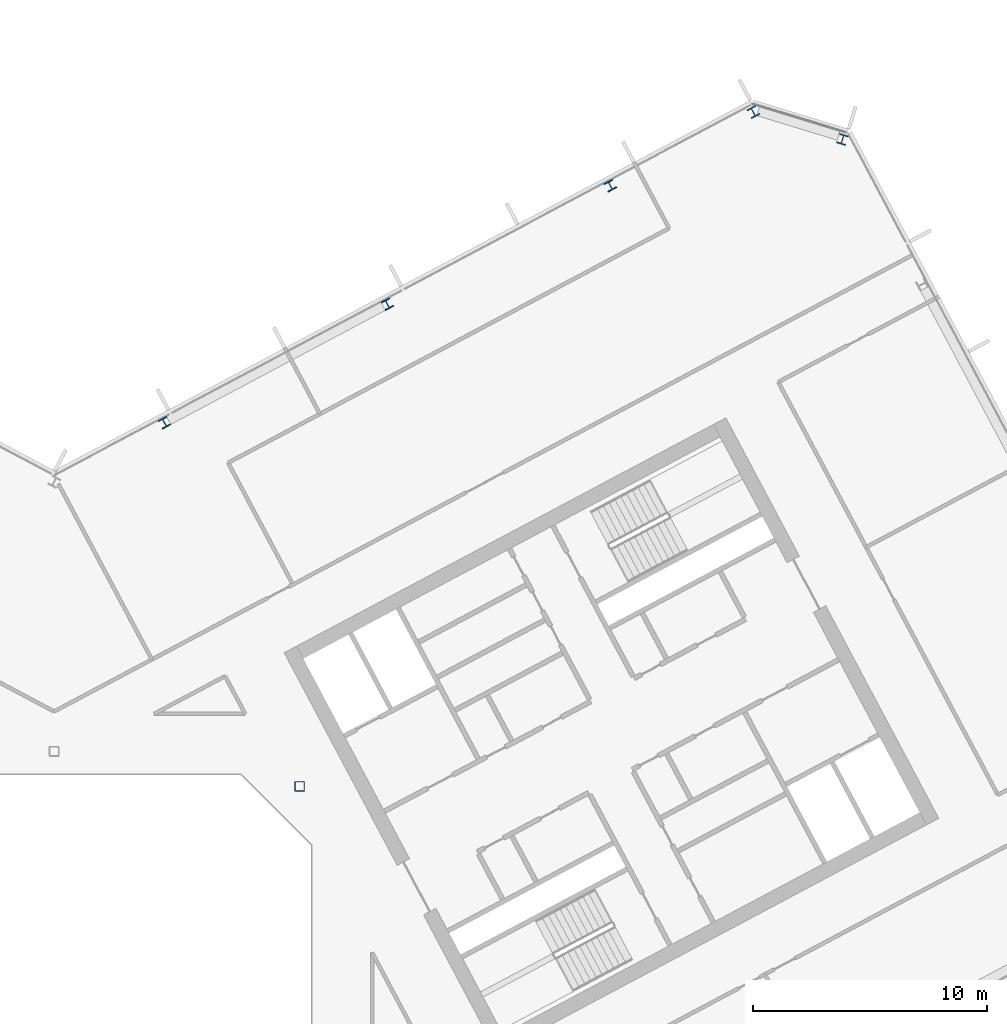
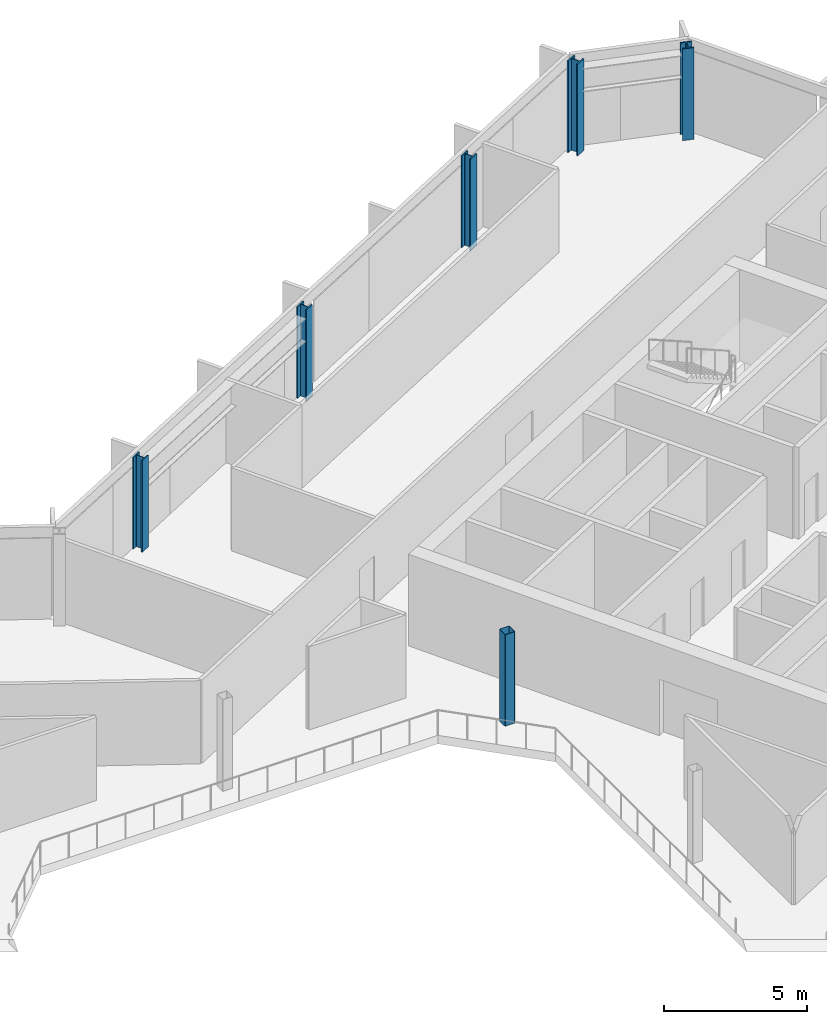
# One storey, part 6 of 26: 6 columns.
"""IFC4 building model written with IfcOpenShell, lengths in metres."""

from ifc_helpers import new_model, si_unit, direction, frame, origin, origin_2d, place, context, subcontext, project, spatial, hollow_rectangle, i_section, extrude, material, material_profile, profile_set, type_object, element, save


model = new_model("IFC4")

# Units and contexts
model_context = context("Model", 3, precision=1e-05, world=origin(), true_north=direction((0.0, 1.0)))
body_context = subcontext(model_context, "Body", "Model", "MODEL_VIEW")
ifc_project = project(units=[si_unit("LENGTHUNIT", "METRE"), si_unit("AREAUNIT", "SQUARE_METRE"), si_unit("VOLUMEUNIT", "CUBIC_METRE"), si_unit("PLANEANGLEUNIT", "RADIAN"), si_unit("MASSUNIT", "GRAM", prefix="KILO")], contexts=[model_context])

# Site, building, storey
site_placement = place(None, origin())
site = spatial("IfcSite", under=ifc_project, at=site_placement, CompositionType="ELEMENT")
building_placement = place(site_placement, origin())
building = spatial("IfcBuilding", under=site, at=building_placement, Name="Cormorant Relay Tower", CompositionType="ELEMENT")
storey_placement = place(building_placement, frame((0.0, 0.0, 220.800048828125)))
storey = spatial("IfcBuildingStorey", under=building, at=storey_placement, Name="L48", CompositionType="ELEMENT", Elevation=220.800048828125)

# Columns
ifc_material_1 = material(Name="Steel ASTM A500 Grade C (Fy 345 MPa)", Category="steel")
ifc_material_profile_1 = material_profile(ifc_material_1, hollow_rectangle(XDim=0.406494140625, YDim=0.406494140625, WallThickness=0.0146484375, InnerFilletRadius=0.00732421875, OuterFilletRadius=0.022216796875, at=origin_2d()), Name="HSS406x406x15")
ifc_profile_set_1 = profile_set([ifc_material_profile_1], Name="Steel ASTM A500 Grade C (Fy 345 MPa)")
column_type_1 = type_object("IfcColumnType", Name="Column HSS406x406x15", PredefinedType="COLUMN", material=ifc_profile_set_1)
column_placement = place(storey_placement, frame((10.5, 10.5, 0.0), z_axis=(0.0, 0.0, 1.0), x_axis=(1.0, 0.0, 0.0)))
element("IfcColumn", 1, at=column_placement, inside=storey, type_object=column_type_1, Name="Column L48-024", PredefinedType="COLUMN", context=body_context, shape_type="SweptSolid", body=[
    extrude(hollow_rectangle(XDim=0.406494140625, YDim=0.406494140625, WallThickness=0.0146484375, InnerFilletRadius=0.00732421875, OuterFilletRadius=0.022216796875, at=origin_2d()), origin(), (0.0, 0.0, 1.0), 3.89990234375),
])
ifc_material_2 = material(Name="Steel ASTM A992 (Fy 345 MPa)", Category="steel")
ifc_material_profile_2 = material_profile(ifc_material_2, i_section(OverallWidth=0.40380859375, OverallDepth=0.406494140625, WebThickness=0.027099609375, FlangeThickness=0.043701171875, FilletRadius=0.01513671875, at=origin_2d()), Name="W360x347")
ifc_profile_set_2 = profile_set([ifc_material_profile_2], Name="Steel ASTM A992 (Fy 345 MPa)")
column_type_2 = type_object("IfcColumnType", Name="Column W360x347", PredefinedType="COLUMN", material=ifc_profile_set_2)
for number, where, z_axis, x_axis, name in (
    (2, (4.719970703125, 26.055908203125, 0.0), (0.0, 0.0, 1.0), (-0.882947592859, -0.469471562786, 0.0), "Column L48-032"),
    (3, (14.256103515625, 31.1259765625, 0.0), (0.0, 0.0, 1.0), (-0.882947592859, -0.469471562786, 0.0), "Column L48-035"),
    (4, (23.7919921875, 36.196044921875, 0.0), (0.0, 0.0, 1.0), (-0.882947592859, -0.469471562786, 0.0), "Column L48-039"),
):
    element("IfcColumn", number, at=place(storey_placement, frame(where, z_axis=z_axis, x_axis=x_axis)), inside=storey, type_object=column_type_2, Name=name, PredefinedType="COLUMN", context=body_context, shape_type="SweptSolid", body=[
        extrude(i_section(OverallWidth=0.40380859375, OverallDepth=0.406494140625, WebThickness=0.027099609375, FlangeThickness=0.043701171875, FilletRadius=0.01513671875, at=origin_2d()), origin(), (0.0, 0.0, 1.0), 3.89990234375),
    ])
ifc_material_3 = material(Name="Steel ASTM A992 (Fy 345 MPa)", Category="steel")
ifc_material_profile_3 = material_profile(ifc_material_3, i_section(OverallWidth=0.41162109375, OverallDepth=0.434326171875, WebThickness=0.035888671875, FlangeThickness=0.057373046875, FilletRadius=0.01513671875, at=origin_2d()), Name="W360x463")
ifc_profile_set_3 = profile_set([ifc_material_profile_3], Name="Steel ASTM A992 (Fy 345 MPa)")
column_type_3 = type_object("IfcColumnType", Name="Column W360x463", PredefinedType="COLUMN", material=ifc_profile_set_3)
for number, where, z_axis, x_axis, name in (
    (5, (33.720947265625, 38.173095703125, 0.0), (0.0, 0.0, 1.0), (-0.956304755963, 0.292371704723, 0.0), "Column L48-041"),
    (6, (29.905029296875, 39.340087890625, 0.0), (0.0, 0.0, 1.0), (-0.882947592859, -0.469471562786, 0.0), "Column L48-043"),
):
    element("IfcColumn", number, at=place(storey_placement, frame(where, z_axis=z_axis, x_axis=x_axis)), inside=storey, type_object=column_type_3, Name=name, PredefinedType="COLUMN", context=body_context, shape_type="SweptSolid", body=[
        extrude(i_section(OverallWidth=0.41162109375, OverallDepth=0.434326171875, WebThickness=0.035888671875, FlangeThickness=0.057373046875, FilletRadius=0.01513671875, at=origin_2d()), origin(), (0.0, 0.0, 1.0), 3.89990234375),
    ])

save(model, "model.ifc")
